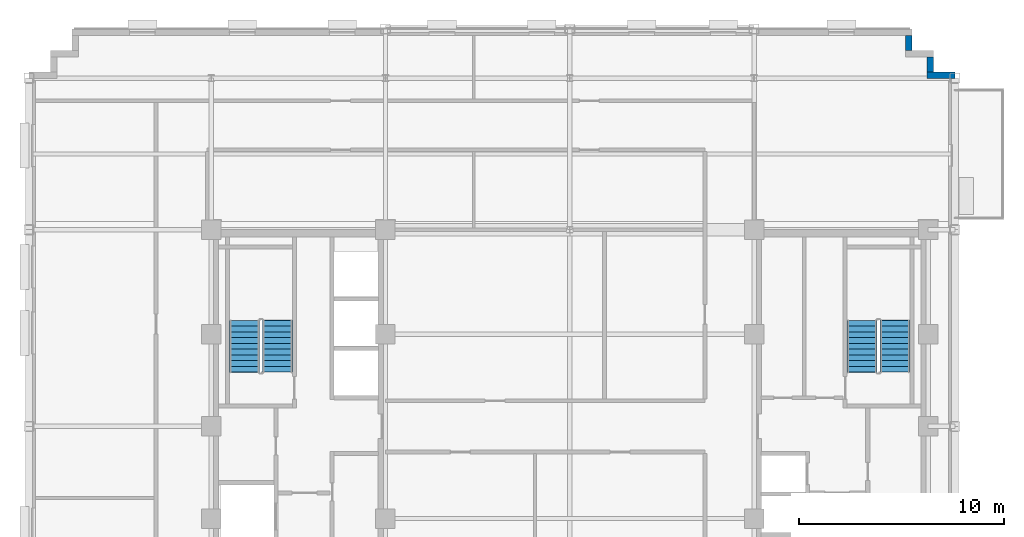
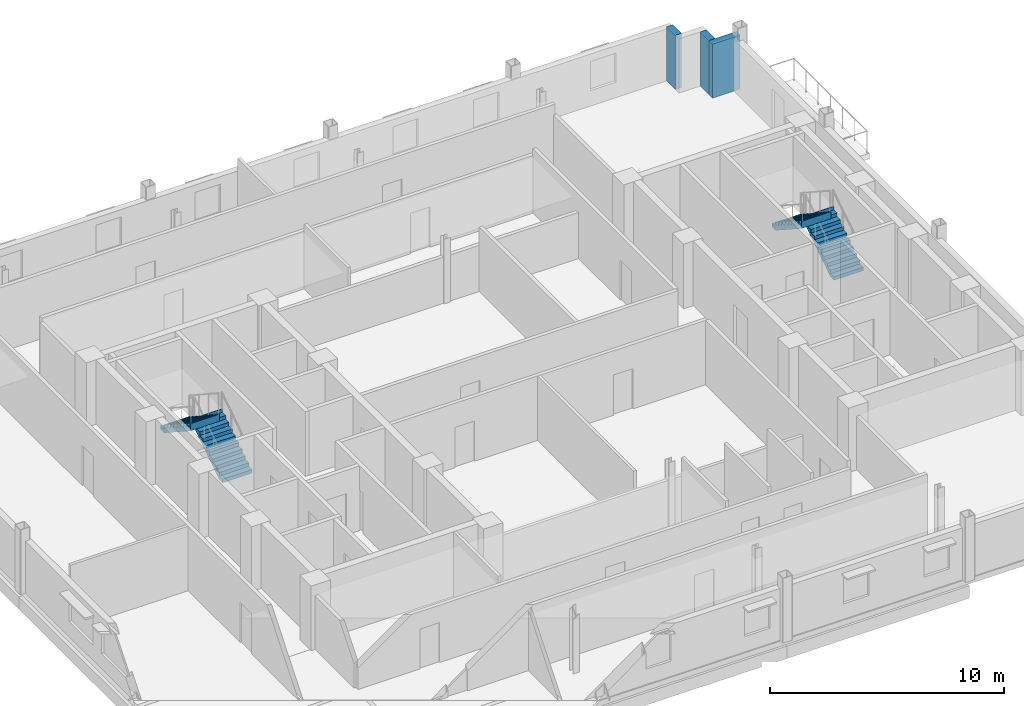
# One storey, part 9 of 13: 4 stair flights, 3 walls, 2 elements without a shape of their own.
"""IFC4 building model written with IfcOpenShell, lengths in metres."""

from ifc_helpers import new_model, si_unit, direction, frame, frame_2d, origin, place, context, subcontext, project, spatial, polyline, rectangle, outline, extrude, material, layer, layer_set, type_object, element, aggregate, save


model = new_model("IFC4")

# Units and contexts
model_context = context("Model", 3, precision=1e-05, world=origin(), true_north=direction((0.0, 1.0)))
body_context = subcontext(model_context, "Body", "Model", "MODEL_VIEW")
ifc_project = project(units=[si_unit("LENGTHUNIT", "METRE"), si_unit("AREAUNIT", "SQUARE_METRE"), si_unit("VOLUMEUNIT", "CUBIC_METRE"), si_unit("PLANEANGLEUNIT", "RADIAN"), si_unit("MASSUNIT", "GRAM", prefix="KILO")], contexts=[model_context])

# Site, building, storey
site_placement = place(None, origin())
site = spatial("IfcSite", under=ifc_project, at=site_placement, CompositionType="ELEMENT")
building_placement = place(site_placement, origin())
building = spatial("IfcBuilding", under=site, at=building_placement, Name="Nuvemarco Arch Tower", CompositionType="ELEMENT")
storey_placement = place(building_placement, frame((0.0, 0.0, 216.449951171875)))
storey = spatial("IfcBuildingStorey", under=building, at=storey_placement, Name="L57", CompositionType="ELEMENT", Elevation=216.449951171875)

# Walls
ifc_material = material(Name="Precast concrete C45/55", Category="concrete")
ifc_layer = layer(ifc_material, 0.31005859375, Name="EW-UPP-310")
ifc_layer_set = layer_set([ifc_layer], Name="Precast concrete C45/55")
wall_type = type_object("IfcWallType", Name="EW-UPP-310", PredefinedType="STANDARD", material=ifc_layer_set)
wall_placement = place(storey_placement, frame((17.43994140625, 17.14501953125, 0.0), z_axis=(0.0, 0.0, 1.0), x_axis=(1.0, 0.0, 0.0)))
element("IfcWall", 1, at=wall_placement, inside=storey, type_object=wall_type, Name="L57 exterior precast facade wall 7", PredefinedType="STANDARD", context=body_context, shape_type="SweptSolid", body=[
    extrude(rectangle(XDim=1.360107421875, YDim=0.31005859375, at=frame_2d((0.68017578125, 0.0))), origin(), (0.0, 0.0, 1.0), 2.816162109375),
])
for number, where, z_axis, x_axis, name in (
    (2, (17.594970703125, 17.2958984375, 0.0), (0.0, 0.0, 1.0), (0.0, 1.0, 0.0), "L57 exterior precast facade wall 8"),
    (3, (16.544921875, 18.345947265625, 0.0), (0.0, 0.0, 1.0), (0.0, 1.0, 0.0), "L57 exterior precast facade wall 10"),
):
    element("IfcWall", number, at=place(storey_placement, frame(where, z_axis=z_axis, x_axis=x_axis)), inside=storey, type_object=wall_type, Name=name, PredefinedType="STANDARD", context=body_context, shape_type="SweptSolid", body=[
        extrude(rectangle(XDim=0.748046875, YDim=0.31005859375, at=frame_2d((0.3740234375, 0.0))), origin(), (0.0, 0.0, 1.0), 2.816162109375),
    ])

# Stair, stair flights
stair_type = type_object("IfcStairType", Name="ST-CORE-20R", PredefinedType="HALF_TURN_STAIR", material=ifc_material)
stair_1_placement = place(storey_placement, origin())
stair_1 = element("IfcStair", 4, at=stair_1_placement, inside=storey, type_object=stair_type, Name="L57 Protected Exit Stair ST-1", PredefinedType="HALF_TURN_STAIR")
stair_flight_type = type_object("IfcStairFlightType", Name="SF-CORE-20R", PredefinedType="STRAIGHT", material=ifc_material)
stair_flight_1_placement = place(storey_placement, frame((-14.264892578125, 2.64990234375, 0.0), z_axis=(0.0, 0.0, 1.0), x_axis=(0.0, 1.0, 0.0)))
stair_flight_1 = element("IfcStairFlight", 5, at=stair_flight_1_placement, type_object=stair_flight_type, Name="ST-20R flight 1", NumberOfRisers=10, NumberOfTreads=9, PredefinedType="STRAIGHT", RiserHeight=0.1825, TreadLength=0.28, context=body_context, shape_type="SweptSolid", body=[
    extrude(outline(polyline([(0.0, 0.0), (0.0, 0.1826171875), (0.280029296875, 0.1826171875), (0.280029296875, 0.364990234375), (0.56005859375, 0.364990234375), (0.56005859375, 0.547607421875), (0.840087890625, 0.547607421875), (0.840087890625, 0.72998046875), (1.1201171875, 0.72998046875), (1.1201171875, 0.91259765625), (1.39990234375, 0.91259765625), (1.39990234375, 1.094970703125), (1.679931640625, 1.094970703125), (1.679931640625, 1.277587890625), (1.9599609375, 1.277587890625), (1.9599609375, 1.4599609375), (2.239990234375, 1.4599609375), (2.239990234375, 1.642578125), (2.52001953125, 1.642578125), (2.52001953125, 1.824951171875), (2.5400390625, 1.824951171875), (2.5400390625, 1.45166015625), (0.312744140625, 0.0), (0.0, 0.0)])), frame((0.0, 0.72509765625, 0.0), z_axis=(0.0, -1.0, 0.0), x_axis=(1.0, 0.0, 0.0)), (0.0, 0.0, 1.0), 1.449951171875),
])
stair_flight_2_placement = place(storey_placement, frame((-15.875, 5.169921875, 1.824951171875), z_axis=(0.0, 0.0, 1.0), x_axis=(0.0, -1.0, 0.0)))
stair_flight_2 = element("IfcStairFlight", 6, at=stair_flight_2_placement, type_object=stair_flight_type, Name="ST-20R flight 2", NumberOfRisers=10, NumberOfTreads=9, PredefinedType="STRAIGHT", RiserHeight=0.1825, TreadLength=0.28, context=body_context, shape_type="SweptSolid", body=[
    extrude(outline(polyline([(0.0, 0.0), (0.0, 0.1826171875), (0.280029296875, 0.1826171875), (0.280029296875, 0.364990234375), (0.56005859375, 0.364990234375), (0.56005859375, 0.547607421875), (0.840087890625, 0.547607421875), (0.840087890625, 0.72998046875), (1.1201171875, 0.72998046875), (1.1201171875, 0.91259765625), (1.39990234375, 0.91259765625), (1.39990234375, 1.094970703125), (1.679931640625, 1.094970703125), (1.679931640625, 1.277587890625), (1.9599609375, 1.277587890625), (1.9599609375, 1.4599609375), (2.239990234375, 1.4599609375), (2.239990234375, 1.642578125), (2.52001953125, 1.642578125), (2.52001953125, 1.824951171875), (2.5400390625, 1.824951171875), (2.5400390625, 1.45166015625), (0.312744140625, 0.0), (0.0, 0.0)])), frame((0.0, 0.72509765625, 0.0), z_axis=(0.0, -1.0, 0.0), x_axis=(1.0, 0.0, 0.0)), (0.0, 0.0, 1.0), 1.449951171875),
])
aggregate(stair_1, [stair_flight_1, stair_flight_2])

stair_2_placement = place(storey_placement, origin())
stair_2 = element("IfcStair", 7, at=stair_2_placement, inside=storey, type_object=stair_type, Name="L57 Protected Exit Stair ST-2", PredefinedType="HALF_TURN_STAIR")
stair_flight_3_placement = place(storey_placement, frame((15.875, 2.64990234375, 0.0), z_axis=(0.0, 0.0, 1.0), x_axis=(0.0, 1.0, 0.0)))
stair_flight_3 = element("IfcStairFlight", 8, at=stair_flight_3_placement, type_object=stair_flight_type, Name="ST-20R flight 1", NumberOfRisers=10, NumberOfTreads=9, PredefinedType="STRAIGHT", RiserHeight=0.1825, TreadLength=0.28, context=body_context, shape_type="SweptSolid", body=[
    extrude(outline(polyline([(0.0, 0.0), (0.0, 0.1826171875), (0.280029296875, 0.1826171875), (0.280029296875, 0.364990234375), (0.56005859375, 0.364990234375), (0.56005859375, 0.547607421875), (0.840087890625, 0.547607421875), (0.840087890625, 0.72998046875), (1.1201171875, 0.72998046875), (1.1201171875, 0.91259765625), (1.39990234375, 0.91259765625), (1.39990234375, 1.094970703125), (1.679931640625, 1.094970703125), (1.679931640625, 1.277587890625), (1.9599609375, 1.277587890625), (1.9599609375, 1.4599609375), (2.239990234375, 1.4599609375), (2.239990234375, 1.642578125), (2.52001953125, 1.642578125), (2.52001953125, 1.824951171875), (2.5400390625, 1.824951171875), (2.5400390625, 1.45166015625), (0.312744140625, 0.0), (0.0, 0.0)])), frame((0.0, 0.72509765625, 0.0), z_axis=(0.0, -1.0, 0.0), x_axis=(1.0, 0.0, 0.0)), (0.0, 0.0, 1.0), 1.449951171875),
])
stair_flight_4_placement = place(storey_placement, frame((14.264892578125, 5.169921875, 1.824951171875), z_axis=(0.0, 0.0, 1.0), x_axis=(0.0, -1.0, 0.0)))
stair_flight_4 = element("IfcStairFlight", 9, at=stair_flight_4_placement, type_object=stair_flight_type, Name="ST-20R flight 2", NumberOfRisers=10, NumberOfTreads=9, PredefinedType="STRAIGHT", RiserHeight=0.1825, TreadLength=0.28, context=body_context, shape_type="SweptSolid", body=[
    extrude(outline(polyline([(0.0, 0.0), (0.0, 0.1826171875), (0.280029296875, 0.1826171875), (0.280029296875, 0.364990234375), (0.56005859375, 0.364990234375), (0.56005859375, 0.547607421875), (0.840087890625, 0.547607421875), (0.840087890625, 0.72998046875), (1.1201171875, 0.72998046875), (1.1201171875, 0.91259765625), (1.39990234375, 0.91259765625), (1.39990234375, 1.094970703125), (1.679931640625, 1.094970703125), (1.679931640625, 1.277587890625), (1.9599609375, 1.277587890625), (1.9599609375, 1.4599609375), (2.239990234375, 1.4599609375), (2.239990234375, 1.642578125), (2.52001953125, 1.642578125), (2.52001953125, 1.824951171875), (2.5400390625, 1.824951171875), (2.5400390625, 1.45166015625), (0.312744140625, 0.0), (0.0, 0.0)])), frame((0.0, 0.72509765625, 0.0), z_axis=(0.0, -1.0, 0.0), x_axis=(1.0, 0.0, 0.0)), (0.0, 0.0, 1.0), 1.449951171875),
])
aggregate(stair_2, [stair_flight_3, stair_flight_4])

save(model, "model.ifc")
